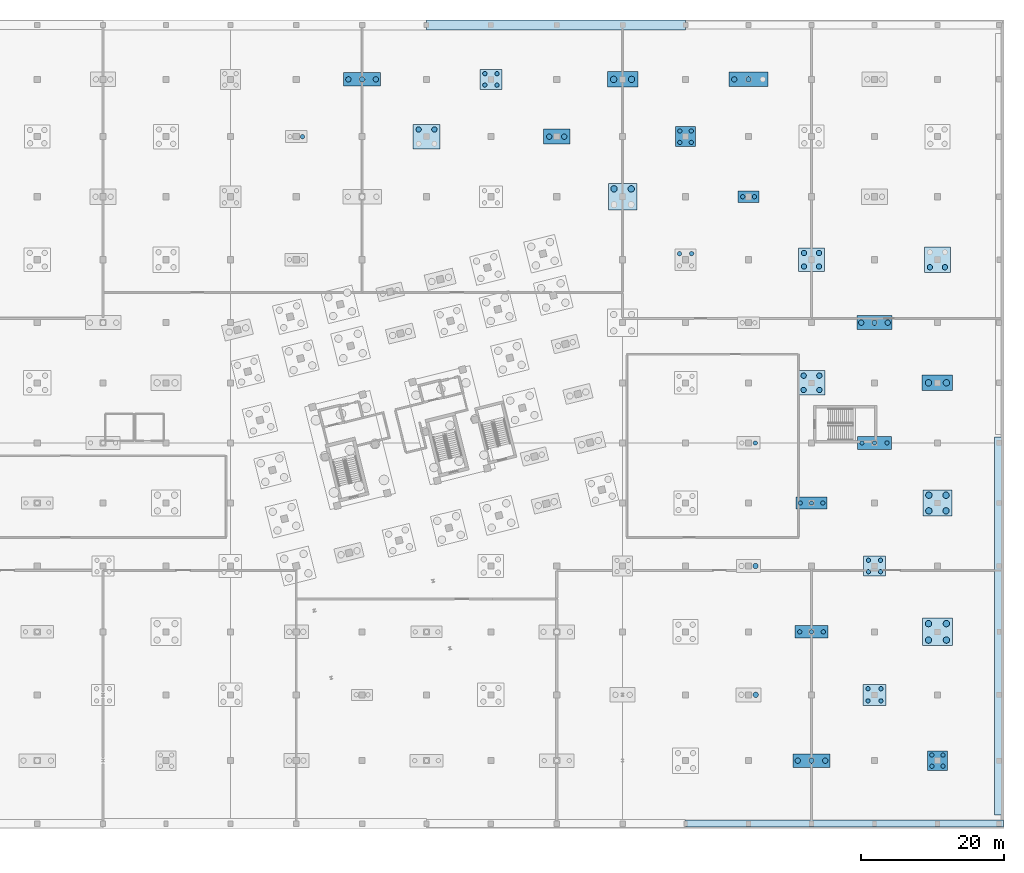
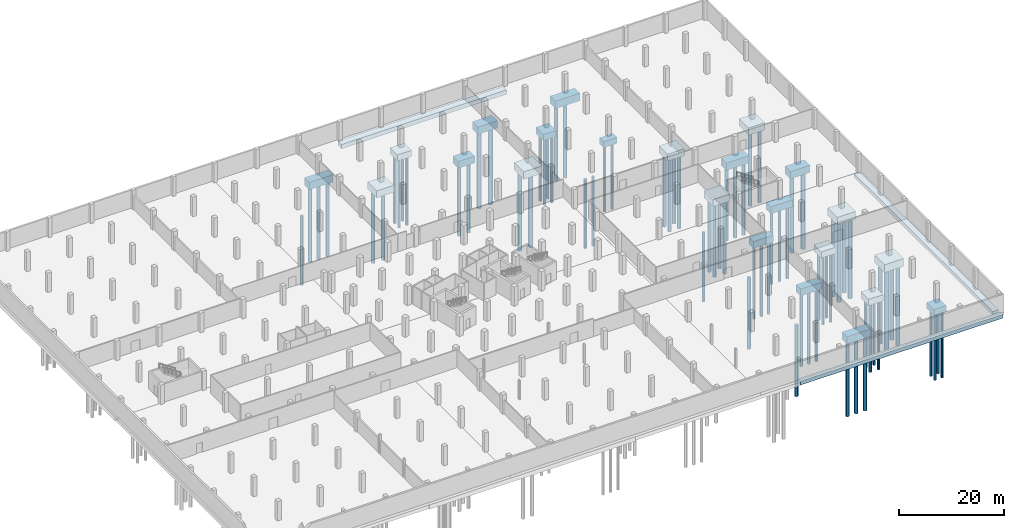
# One storey, part 5 of 29: 76 piles, 26 footings.
"""IFC4 building model written with IfcOpenShell, lengths in metres."""

from ifc_helpers import new_model, si_unit, direction, frame, origin, origin_2d, place, context, subcontext, project, spatial, rectangle, circle, extrude, material, layer, layer_set, material_profile, profile_set, type_object, element, save


model = new_model("IFC4")

# Units and contexts
model_context = context("Model", 3, precision=1e-05, world=origin(), true_north=direction((0.0, 1.0)))
body_context = subcontext(model_context, "Body", "Model", "MODEL_VIEW")
ifc_project = project(units=[si_unit("LENGTHUNIT", "METRE"), si_unit("AREAUNIT", "SQUARE_METRE"), si_unit("VOLUMEUNIT", "CUBIC_METRE"), si_unit("PLANEANGLEUNIT", "RADIAN"), si_unit("MASSUNIT", "GRAM", prefix="KILO")], contexts=[model_context])

# Site, building, storey
site_placement = place(None, origin())
site = spatial("IfcSite", under=ifc_project, at=site_placement, CompositionType="ELEMENT")
building_placement = place(site_placement, origin())
building = spatial("IfcBuilding", under=site, at=building_placement, Name="Meriwether Solvik Hall", CompositionType="ELEMENT")
storey_placement = place(building_placement, frame((0.0, 0.0, -9.0)))
storey = spatial("IfcBuildingStorey", under=building, at=storey_placement, Name="B02", CompositionType="ELEMENT", Elevation=-9.0)

# Footings
ifc_material_1 = material(Name="Concrete C40/50", Category="concrete")
ifc_layer_1 = layer(ifc_material_1, 1.39990234375)
ifc_layer_set_1 = layer_set([ifc_layer_1], Name="Concrete C40/50")
footing_type_1 = type_object("IfcFootingType", Name="FTG-PC-2750X2750X1400", PredefinedType="PILE_CAP", material=ifc_layer_set_1)
footing_1_placement = place(storey_placement, frame((158.199951171875, 14.0, -2.0), z_axis=(0.0, 0.0, 1.0), x_axis=(1.0, 0.0, 0.0)))
element("IfcFooting", 1, at=footing_1_placement, inside=storey, type_object=footing_type_1, Name="Pile Cap pod_18_B", PredefinedType="PILE_CAP", context=body_context, shape_type="SweptSolid", body=[
    extrude(rectangle(XDim=2.75, YDim=2.75, at=origin_2d()), origin(), (0.0, 0.0, 1.0), 1.39990234375),
])
ifc_material_2 = material(Name="Concrete C40/50", Category="concrete")
ifc_layer_2 = layer(ifc_material_2, 1.449951171875)
ifc_layer_set_2 = layer_set([ifc_layer_2], Name="Concrete C40/50")
footing_type_2 = type_object("IfcFootingType", Name="FTG-PC-2800X2800X1450", PredefinedType="PILE_CAP", material=ifc_layer_set_2)
footing_2_placement = place(storey_placement, frame((123.0, 101.199951171875, -2.0498046875), z_axis=(0.0, 0.0, 1.0), x_axis=(1.0, 0.0, 0.0)))
element("IfcFooting", 2, at=footing_2_placement, inside=storey, type_object=footing_type_2, Name="Pile Cap pod_14_L", PredefinedType="PILE_CAP", context=body_context, shape_type="SweptSolid", body=[
    extrude(rectangle(XDim=2.800048828125, YDim=2.800048828125, at=origin_2d()), origin(), (0.0, 0.0, 1.0), 1.449951171875),
])
ifc_material_3 = material(Name="Concrete C40/50", Category="concrete")
ifc_layer_3 = layer(ifc_material_3, 1.39990234375)
ifc_layer_set_3 = layer_set([ifc_layer_3], Name="Concrete C40/50")
footing_type_3 = type_object("IfcFootingType", Name="FTG-PC-2900X1550X1400", PredefinedType="PILE_CAP", material=ifc_layer_set_3)
footing_3_placement = place(storey_placement, frame((131.800048828125, 92.800048828125, -2.0), z_axis=(0.0, 0.0, 1.0), x_axis=(1.0, 0.0, 0.0)))
element("IfcFooting", 3, at=footing_3_placement, inside=storey, type_object=footing_type_3, Name="Pile Cap pod_15_K", PredefinedType="PILE_CAP", context=body_context, shape_type="SweptSolid", body=[
    extrude(rectangle(XDim=2.89990234375, YDim=1.550048828125, at=origin_2d()), origin(), (0.0, 0.0, 1.0), 1.39990234375),
])
ifc_material_4 = material(Name="Concrete C40/50", Category="concrete")
ifc_layer_4 = layer(ifc_material_4, 1.449951171875)
ifc_layer_set_4 = layer_set([ifc_layer_4], Name="Concrete C40/50")
footing_type_4 = type_object("IfcFootingType", Name="FTG-PC-3100X2800X1450", PredefinedType="PILE_CAP", material=ifc_layer_set_4)
for number, where, z_axis, x_axis, name in (
    (4, (95.800048828125, 109.199951171875, -2.0498046875), (0.0, 0.0, 1.0), (1.0, 0.0, 0.0), "Pile Cap pod_11_M"),
    (5, (149.39990234375, 41.199951171875, -2.0498046875), (0.0, 0.0, 1.0), (1.0, 0.0, 0.0), "Pile Cap pod_17_E"),
):
    element("IfcFooting", number, at=place(storey_placement, frame(where, z_axis=z_axis, x_axis=x_axis)), inside=storey, type_object=footing_type_4, Name=name, PredefinedType="PILE_CAP", context=body_context, shape_type="SweptSolid", body=[
        extrude(rectangle(XDim=3.10009765625, YDim=2.800048828125, at=origin_2d()), origin(), (0.0, 0.0, 1.0), 1.449951171875),
    ])
ifc_material_5 = material(Name="Concrete C40/50", Category="concrete")
ifc_layer_5 = layer(ifc_material_5, 1.5)
ifc_layer_set_5 = layer_set([ifc_layer_5], Name="Concrete C40/50")
footing_type_5 = type_object("IfcFootingType", Name="FTG-PC-3250X2950X1500", PredefinedType="PILE_CAP", material=ifc_layer_set_5)
footing_4_placement = place(storey_placement, frame((149.39990234375, 23.199951171875, -2.10009765625), z_axis=(0.0, 0.0, 1.0), x_axis=(1.0, 0.0, 0.0)))
element("IfcFooting", 6, at=footing_4_placement, inside=storey, type_object=footing_type_5, Name="Pile Cap pod_17_C", PredefinedType="PILE_CAP", context=body_context, shape_type="SweptSolid", body=[
    extrude(rectangle(XDim=3.25, YDim=2.949951171875, at=origin_2d()), origin(), (0.0, 0.0, 1.0), 1.5),
])
ifc_material_6 = material(Name="Concrete C40/50", Category="concrete")
ifc_layer_6 = layer(ifc_material_6, 1.699951171875)
ifc_layer_set_6 = layer_set([ifc_layer_6], Name="Concrete C40/50")
footing_type_6 = type_object("IfcFootingType", Name="FTG-PC-3600X3600X1700", PredefinedType="PILE_CAP", material=ifc_layer_set_6)
footing_5_placement = place(storey_placement, frame((158.199951171875, 84.0, -2.2998046875), z_axis=(0.0, 0.0, 1.0), x_axis=(1.0, 0.0, 0.0)))
element("IfcFooting", 7, at=footing_5_placement, inside=storey, type_object=footing_type_6, Name="Pile Cap pod_18_J", PredefinedType="PILE_CAP", context=body_context, shape_type="SweptSolid", body=[
    extrude(rectangle(XDim=3.60009765625, YDim=3.60009765625, at=origin_2d()), origin(), (0.0, 0.0, 1.0), 1.699951171875),
])
ifc_material_7 = material(Name="Concrete C40/50", Category="concrete")
ifc_layer_7 = layer(ifc_material_7, 1.60009765625)
ifc_layer_set_7 = layer_set([ifc_layer_7], Name="Concrete C40/50")
footing_type_7 = type_object("IfcFootingType", Name="FTG-PC-3650X2100X1600", PredefinedType="PILE_CAP", material=ifc_layer_set_7)
footing_6_placement = place(storey_placement, frame((105.0, 101.199951171875, -2.199951171875), z_axis=(0.0, 0.0, 1.0), x_axis=(1.0, 0.0, 0.0)))
element("IfcFooting", 8, at=footing_6_placement, inside=storey, type_object=footing_type_7, Name="Pile Cap pod_12_L", PredefinedType="PILE_CAP", context=body_context, shape_type="SweptSolid", body=[
    extrude(rectangle(XDim=3.64990234375, YDim=2.10009765625, at=origin_2d()), origin(), (0.0, 0.0, 1.0), 1.60009765625),
])
ifc_material_8 = material(Name="Concrete C40/50", Category="concrete")
ifc_layer_8 = layer(ifc_material_8, 1.60009765625)
ifc_layer_set_8 = layer_set([ifc_layer_8], Name="Concrete C40/50")
footing_type_8 = type_object("IfcFootingType", Name="FTG-PC-3700X3300X1600", PredefinedType="PILE_CAP", material=ifc_layer_set_8)
footing_7_placement = place(storey_placement, frame((140.60009765625, 84.0, -2.199951171875), z_axis=(0.0, 0.0, 1.0), x_axis=(1.0, 0.0, 0.0)))
element("IfcFooting", 9, at=footing_7_placement, inside=storey, type_object=footing_type_8, Name="Pile Cap pod_16_J", PredefinedType="PILE_CAP", context=body_context, shape_type="SweptSolid", body=[
    extrude(rectangle(XDim=3.699951171875, YDim=3.300048828125, at=origin_2d()), origin(), (0.0, 0.0, 1.0), 1.60009765625),
])
ifc_material_9 = material(Name="Concrete C40/50", Category="concrete")
ifc_layer_9 = layer(ifc_material_9, 1.64990234375)
ifc_layer_set_9 = layer_set([ifc_layer_9], Name="Concrete C40/50")
footing_type_9 = type_object("IfcFootingType", Name="FTG-PC-3800X3450X1650", PredefinedType="PILE_CAP", material=ifc_layer_set_9)
for number, where, z_axis, x_axis, name in (
    (10, (86.800048828125, 101.199951171875, -2.25), (0.0, 0.0, 1.0), (1.0, 0.0, 0.0), "Pile Cap pod_10_L"),
    (11, (140.60009765625, 66.800048828125, -2.25), (0.0, 0.0, 1.0), (1.0, 0.0, 0.0), "Pile Cap pod_16_H"),
):
    element("IfcFooting", number, at=place(storey_placement, frame(where, z_axis=z_axis, x_axis=x_axis)), inside=storey, type_object=footing_type_9, Name=name, PredefinedType="PILE_CAP", context=body_context, shape_type="SweptSolid", body=[
        extrude(rectangle(XDim=3.800048828125, YDim=3.449951171875, at=origin_2d()), origin(), (0.0, 0.0, 1.0), 1.64990234375),
    ])
ifc_material_10 = material(Name="Concrete C40/50", Category="concrete")
ifc_layer_10 = layer(ifc_material_10, 1.75)
ifc_layer_set_10 = layer_set([ifc_layer_10], Name="Concrete C40/50")
footing_type_10 = type_object("IfcFootingType", Name="FTG-PC-4000X3650X1750", PredefinedType="PILE_CAP", material=ifc_layer_set_10)
for number, where, z_axis, x_axis, name in (
    (12, (114.199951171875, 92.800048828125, -2.35009765625), (0.0, 0.0, 1.0), (1.0, 0.0, 0.0), "Pile Cap pod_13_K"),
    (13, (158.199951171875, 50.0, -2.35009765625), (0.0, 0.0, 1.0), (1.0, 0.0, 0.0), "Pile Cap pod_18_F"),
):
    element("IfcFooting", number, at=place(storey_placement, frame(where, z_axis=z_axis, x_axis=x_axis)), inside=storey, type_object=footing_type_10, Name=name, PredefinedType="PILE_CAP", context=body_context, shape_type="SweptSolid", body=[
        extrude(rectangle(XDim=4.0, YDim=3.64990234375, at=origin_2d()), origin(), (0.0, 0.0, 1.0), 1.75),
    ])
ifc_material_11 = material(Name="Concrete C40/50", Category="concrete")
ifc_layer_11 = layer(ifc_material_11, 1.800048828125)
ifc_layer_set_11 = layer_set([ifc_layer_11], Name="Concrete C40/50")
footing_type_11 = type_object("IfcFootingType", Name="FTG-PC-4200X3800X1800", PredefinedType="PILE_CAP", material=ifc_layer_set_11)
footing_8_placement = place(storey_placement, frame((158.199951171875, 32.0, -2.39990234375), z_axis=(0.0, 0.0, 1.0), x_axis=(1.0, 0.0, 0.0)))
element("IfcFooting", 14, at=footing_8_placement, inside=storey, type_object=footing_type_11, Name="Pile Cap pod_18_D", PredefinedType="PILE_CAP", context=body_context, shape_type="SweptSolid", body=[
    extrude(rectangle(XDim=4.199951171875, YDim=3.800048828125, at=origin_2d()), origin(), (0.0, 0.0, 1.0), 1.800048828125),
])
ifc_material_12 = material(Name="Concrete C40/50", Category="concrete")
ifc_layer_12 = layer(ifc_material_12, 1.699951171875)
ifc_layer_set_12 = layer_set([ifc_layer_12], Name="Concrete C40/50")
footing_type_12 = type_object("IfcFootingType", Name="FTG-PC-4250X2150X1700", PredefinedType="PILE_CAP", material=ifc_layer_set_12)
for number, where, z_axis, x_axis, name in (
    (15, (114.199951171875, 109.199951171875, -2.2998046875), (0.0, 0.0, 1.0), (1.0, 0.0, 0.0), "Pile Cap pod_13_M"),
    (16, (158.199951171875, 66.800048828125, -2.2998046875), (0.0, 0.0, 1.0), (1.0, 0.0, 0.0), "Pile Cap pod_18_H"),
):
    element("IfcFooting", number, at=place(storey_placement, frame(where, z_axis=z_axis, x_axis=x_axis)), inside=storey, type_object=footing_type_12, Name=name, PredefinedType="PILE_CAP", context=body_context, shape_type="SweptSolid", body=[
        extrude(rectangle(XDim=4.25, YDim=2.14990234375, at=origin_2d()), origin(), (0.0, 0.0, 1.0), 1.699951171875),
    ])
ifc_material_13 = material(Name="Concrete C40/50", Category="concrete")
ifc_layer_13 = layer(ifc_material_13, 1.60009765625)
ifc_layer_set_13 = layer_set([ifc_layer_13], Name="Concrete C40/50")
footing_type_13 = type_object("IfcFootingType", Name="FTG-PC-4350X1650X1600", PredefinedType="PILE_CAP", material=ifc_layer_set_13)
footing_9_placement = place(storey_placement, frame((140.60009765625, 50.0, -2.199951171875), z_axis=(0.0, 0.0, 1.0), x_axis=(1.0, 0.0, 0.0)))
element("IfcFooting", 17, at=footing_9_placement, inside=storey, type_object=footing_type_13, Name="Pile Cap pod_16_F", PredefinedType="PILE_CAP", context=body_context, shape_type="SweptSolid", body=[
    extrude(rectangle(XDim=4.35009765625, YDim=1.64990234375, at=origin_2d()), origin(), (0.0, 0.0, 1.0), 1.60009765625),
])
ifc_material_14 = material(Name="Concrete C40/50", Category="concrete")
ifc_layer_14 = layer(ifc_material_14, 1.64990234375)
ifc_layer_set_14 = layer_set([ifc_layer_14], Name="Concrete C40/50")
footing_type_14 = type_object("IfcFootingType", Name="FTG-PC-4550X1750X1650", PredefinedType="PILE_CAP", material=ifc_layer_set_14)
footing_10_placement = place(storey_placement, frame((140.60009765625, 32.0, -2.25), z_axis=(0.0, 0.0, 1.0), x_axis=(1.0, 0.0, 0.0)))
element("IfcFooting", 18, at=footing_10_placement, inside=storey, type_object=footing_type_14, Name="Pile Cap pod_16_D", PredefinedType="PILE_CAP", context=body_context, shape_type="SweptSolid", body=[
    extrude(rectangle(XDim=4.550048828125, YDim=1.75, at=origin_2d()), origin(), (0.0, 0.0, 1.0), 1.64990234375),
])
ifc_material_15 = material(Name="Concrete C40/50", Category="concrete")
ifc_layer_15 = layer(ifc_material_15, 1.64990234375)
ifc_layer_set_15 = layer_set([ifc_layer_15], Name="Concrete C40/50")
footing_type_15 = type_object("IfcFootingType", Name="FTG-PC-4800X1850X1650", PredefinedType="PILE_CAP", material=ifc_layer_set_15)
footing_11_placement = place(storey_placement, frame((149.39990234375, 58.39990234375, -2.25), z_axis=(0.0, 0.0, 1.0), x_axis=(1.0, 0.0, 0.0)))
element("IfcFooting", 19, at=footing_11_placement, inside=storey, type_object=footing_type_15, Name="Pile Cap pod_17_G", PredefinedType="PILE_CAP", context=body_context, shape_type="SweptSolid", body=[
    extrude(rectangle(XDim=4.800048828125, YDim=1.85009765625, at=origin_2d()), origin(), (0.0, 0.0, 1.0), 1.64990234375),
])
ifc_material_16 = material(Name="Concrete C40/50", Category="concrete")
ifc_layer_16 = layer(ifc_material_16, 1.699951171875)
ifc_layer_set_16 = layer_set([ifc_layer_16], Name="Concrete C40/50")
footing_type_16 = type_object("IfcFootingType", Name="FTG-PC-4950X1950X1700", PredefinedType="PILE_CAP", material=ifc_layer_set_16)
footing_12_placement = place(storey_placement, frame((149.39990234375, 75.199951171875, -2.2998046875), z_axis=(0.0, 0.0, 1.0), x_axis=(1.0, 0.0, 0.0)))
element("IfcFooting", 20, at=footing_12_placement, inside=storey, type_object=footing_type_16, Name="Pile Cap pod_17_I", PredefinedType="PILE_CAP", context=body_context, shape_type="SweptSolid", body=[
    extrude(rectangle(XDim=4.949951171875, YDim=1.949951171875, at=origin_2d()), origin(), (0.0, 0.0, 1.0), 1.699951171875),
])
ifc_material_17 = material(Name="Concrete C40/50", Category="concrete")
ifc_layer_17 = layer(ifc_material_17, 1.699951171875)
ifc_layer_set_17 = layer_set([ifc_layer_17], Name="Concrete C40/50")
footing_type_17 = type_object("IfcFootingType", Name="FTG-PC-5150X1900X1700", PredefinedType="PILE_CAP", material=ifc_layer_set_17)
for number, where, z_axis, x_axis, name in (
    (21, (77.800048828125, 109.199951171875, -2.2998046875), (0.0, 0.0, 1.0), (1.0, 0.0, 0.0), "Pile Cap pod_9_M"),
    (22, (140.60009765625, 14.0, -2.2998046875), (0.0, 0.0, 1.0), (1.0, 0.0, 0.0), "Pile Cap pod_16_B"),
):
    element("IfcFooting", number, at=place(storey_placement, frame(where, z_axis=z_axis, x_axis=x_axis)), inside=storey, type_object=footing_type_17, Name=name, PredefinedType="PILE_CAP", context=body_context, shape_type="SweptSolid", body=[
        extrude(rectangle(XDim=5.14990234375, YDim=1.89990234375, at=origin_2d()), origin(), (0.0, 0.0, 1.0), 1.699951171875),
    ])
ifc_material_18 = material(Name="Concrete C40/50", Category="concrete")
ifc_layer_18 = layer(ifc_material_18, 1.75)
ifc_layer_set_18 = layer_set([ifc_layer_18], Name="Concrete C40/50")
footing_type_18 = type_object("IfcFootingType", Name="FTG-PC-5400X2000X1750", PredefinedType="PILE_CAP", material=ifc_layer_set_18)
footing_13_placement = place(storey_placement, frame((131.800048828125, 109.199951171875, -2.35009765625), z_axis=(0.0, 0.0, 1.0), x_axis=(1.0, 0.0, 0.0)))
element("IfcFooting", 23, at=footing_13_placement, inside=storey, type_object=footing_type_18, Name="Pile Cap pod_15_M", PredefinedType="PILE_CAP", context=body_context, shape_type="SweptSolid", body=[
    extrude(rectangle(XDim=5.39990234375, YDim=2.0, at=origin_2d()), origin(), (0.0, 0.0, 1.0), 1.75),
])
ifc_material_19 = material(Name="Concrete C40/50", Category="concrete")
ifc_layer_19 = layer(ifc_material_19, 0.85009765625)
ifc_layer_set_19 = layer_set([ifc_layer_19], Name="Concrete C40/50")
footing_type_19 = type_object("IfcFootingType", Name="FTG-SF-1000X850", PredefinedType="STRIP_FOOTING", material=ifc_layer_set_19)
footing_14_placement = place(storey_placement, frame((145.199951171875, 5.199951171875, -1.449951171875), z_axis=(0.0, 0.0, 1.0), x_axis=(1.0, 0.0, 0.0)))
element("IfcFooting", 24, at=footing_14_placement, inside=storey, type_object=footing_type_19, Name="Perimeter Strip Footing SF_S4", PredefinedType="STRIP_FOOTING", context=body_context, shape_type="SweptSolid", body=[
    extrude(rectangle(XDim=44.39990234375, YDim=1.0, at=origin_2d()), origin(), (0.0, 0.0, 1.0), 0.85009765625),
])
ifc_material_20 = material(Name="Concrete C40/50", Category="concrete")
ifc_layer_20 = layer(ifc_material_20, 0.89990234375)
ifc_layer_set_20 = layer_set([ifc_layer_20], Name="Concrete C40/50")
footing_type_20 = type_object("IfcFootingType", Name="FTG-SF-1200X900", PredefinedType="STRIP_FOOTING", material=ifc_layer_set_20)
footing_15_placement = place(storey_placement, frame((166.800048828125, 32.800048828125, -1.5), z_axis=(0.0, 0.0, 1.0), x_axis=(0.0, 1.0, 0.0)))
element("IfcFooting", 25, at=footing_15_placement, inside=storey, type_object=footing_type_20, Name="Perimeter Strip Footing SF_E1", PredefinedType="STRIP_FOOTING", context=body_context, shape_type="SweptSolid", body=[
    extrude(rectangle(XDim=52.800048828125, YDim=1.199951171875, at=origin_2d()), origin(), (0.0, 0.0, 1.0), 0.89990234375),
])
ifc_material_21 = material(Name="Concrete C40/50", Category="concrete")
ifc_layer_21 = layer(ifc_material_21, 1.0)
ifc_layer_set_21 = layer_set([ifc_layer_21], Name="Concrete C40/50")
footing_type_21 = type_object("IfcFootingType", Name="FTG-SF-1400X1000", PredefinedType="STRIP_FOOTING", material=ifc_layer_set_21)
footing_16_placement = place(storey_placement, frame((104.89990234375, 116.800048828125, -1.60009765625), z_axis=(0.0, 0.0, 1.0), x_axis=(1.0, 0.0, 0.0)))
element("IfcFooting", 26, at=footing_16_placement, inside=storey, type_object=footing_type_21, Name="Perimeter Strip Footing SF_N3", PredefinedType="STRIP_FOOTING", context=body_context, shape_type="SweptSolid", body=[
    extrude(rectangle(XDim=36.199951171875, YDim=1.39990234375, at=origin_2d()), origin(), (0.0, 0.0, 1.0), 1.0),
])

# Piles
ifc_material_22 = material(Name="Concrete C40/50", Category="concrete")
ifc_material_profile_1 = material_profile(ifc_material_22, circle(Radius=0.300048828125, at=origin_2d()), Name="PILE-D600")
ifc_profile_set_1 = profile_set([ifc_material_profile_1], Name="Concrete C40/50")
pile_type_1 = type_object("IfcPileType", Name="PILE-BORED-600", PredefinedType="BORED", material=ifc_profile_set_1)
for number, where, z_axis, x_axis, name in (
    (27, (69.47998046875, 101.199951171875, -1.929931640625), (0.0, 0.0, -1.0), (1.0, 0.0, 0.0), "Bored Pile P-240"),
    (28, (94.949951171875, 108.39990234375, -1.929931640625), (0.0, 0.0, -1.0), (1.0, 0.0, 0.0), "Bored Pile P-271"),
    (29, (96.64990234375, 108.39990234375, -1.929931640625), (0.0, 0.0, -1.0), (1.0, 0.0, 0.0), "Bored Pile P-272"),
    (30, (94.949951171875, 110.0, -1.929931640625), (0.0, 0.0, -1.0), (1.0, 0.0, 0.0), "Bored Pile P-273"),
    (31, (96.64990234375, 110.0, -1.929931640625), (0.0, 0.0, -1.0), (1.0, 0.0, 0.0), "Bored Pile P-274"),
    (32, (122.14990234375, 84.85009765625, -1.97998046875), (0.0, 0.0, -1.0), (1.0, 0.0, 0.0), "Bored Pile P-317"),
    (33, (123.85009765625, 84.85009765625, -1.97998046875), (0.0, 0.0, -1.0), (1.0, 0.0, 0.0), "Bored Pile P-318"),
):
    element("IfcPile", number, at=place(storey_placement, frame(where, z_axis=z_axis, x_axis=x_axis)), inside=storey, type_object=pile_type_1, Name=name, PredefinedType="BORED", context=body_context, shape_type="SweptSolid", body=[
        extrude(circle(Radius=0.300048828125, at=origin_2d()), origin(), (0.0, 0.0, 1.0), 16.0),
    ])
for number, where, z_axis, x_axis, name in (
    (34, (122.199951171875, 100.39990234375, -1.929931640625), (0.0, 0.0, -1.0), (1.0, 0.0, 0.0), "Bored Pile P-319"),
    (35, (123.800048828125, 100.39990234375, -1.929931640625), (0.0, 0.0, -1.0), (1.0, 0.0, 0.0), "Bored Pile P-320"),
    (36, (122.199951171875, 102.0, -1.929931640625), (0.0, 0.0, -1.0), (1.0, 0.0, 0.0), "Bored Pile P-321"),
    (37, (123.800048828125, 102.0, -1.929931640625), (0.0, 0.0, -1.0), (1.0, 0.0, 0.0), "Bored Pile P-322"),
):
    element("IfcPile", number, at=place(storey_placement, frame(where, z_axis=z_axis, x_axis=x_axis)), inside=storey, type_object=pile_type_1, Name=name, PredefinedType="BORED", context=body_context, shape_type="SweptSolid", body=[
        extrude(circle(Radius=0.300048828125, at=origin_2d()), origin(), (0.0, 0.0, 1.0), 15.5),
    ])
pile_placement = place(storey_placement, frame((132.75, 58.39990234375, -1.97998046875), z_axis=(0.0, 0.0, -1.0), x_axis=(1.0, 0.0, 0.0)))
element("IfcPile", 38, at=pile_placement, inside=storey, type_object=pile_type_1, Name="Bored Pile P-328", PredefinedType="BORED", context=body_context, shape_type="SweptSolid", body=[
    extrude(circle(Radius=0.300048828125, at=origin_2d()), origin(), (0.0, 0.0, 1.0), 16.0),
])
for number, where, z_axis, x_axis, name in (
    (39, (130.97998046875, 92.800048828125, -1.8798828125), (0.0, 0.0, -1.0), (1.0, 0.0, 0.0), "Bored Pile P-331"),
    (40, (132.6201171875, 92.800048828125, -1.8798828125), (0.0, 0.0, -1.0), (1.0, 0.0, 0.0), "Bored Pile P-332"),
):
    element("IfcPile", number, at=place(storey_placement, frame(where, z_axis=z_axis, x_axis=x_axis)), inside=storey, type_object=pile_type_1, Name=name, PredefinedType="BORED", context=body_context, shape_type="SweptSolid", body=[
        extrude(circle(Radius=0.300048828125, at=origin_2d()), origin(), (0.0, 0.0, 1.0), 15.5),
    ])
for number, where, z_axis, x_axis, name in (
    (41, (138.949951171875, 32.0, -2.1298828125), (0.0, 0.0, -1.0), (1.0, 0.0, 0.0), "Bored Pile P-339"),
    (42, (140.60009765625, 32.0, -2.1298828125), (0.0, 0.0, -1.0), (1.0, 0.0, 0.0), "Bored Pile P-340"),
    (43, (142.25, 32.0, -2.1298828125), (0.0, 0.0, -1.0), (1.0, 0.0, 0.0), "Bored Pile P-341"),
    (44, (139.02001953125, 50.0, -2.080078125), (0.0, 0.0, -1.0), (1.0, 0.0, 0.0), "Bored Pile P-342"),
    (45, (140.60009765625, 50.0, -2.080078125), (0.0, 0.0, -1.0), (1.0, 0.0, 0.0), "Bored Pile P-343"),
    (46, (142.179931640625, 50.0, -2.080078125), (0.0, 0.0, -1.0), (1.0, 0.0, 0.0), "Bored Pile P-344"),
):
    element("IfcPile", number, at=place(storey_placement, frame(where, z_axis=z_axis, x_axis=x_axis)), inside=storey, type_object=pile_type_1, Name=name, PredefinedType="BORED", context=body_context, shape_type="SweptSolid", body=[
        extrude(circle(Radius=0.300048828125, at=origin_2d()), origin(), (0.0, 0.0, 1.0), 17.0),
    ])
for number, where, z_axis, x_axis, name in (
    (47, (148.5, 22.35009765625, -1.97998046875), (0.0, 0.0, -1.0), (1.0, 0.0, 0.0), "Bored Pile P-357"),
    (48, (150.300048828125, 22.35009765625, -1.97998046875), (0.0, 0.0, -1.0), (1.0, 0.0, 0.0), "Bored Pile P-358"),
    (49, (148.5, 24.050048828125, -1.97998046875), (0.0, 0.0, -1.0), (1.0, 0.0, 0.0), "Bored Pile P-359"),
    (50, (150.300048828125, 24.050048828125, -1.97998046875), (0.0, 0.0, -1.0), (1.0, 0.0, 0.0), "Bored Pile P-360"),
    (51, (148.550048828125, 40.39990234375, -1.929931640625), (0.0, 0.0, -1.0), (1.0, 0.0, 0.0), "Bored Pile P-361"),
    (52, (150.25, 40.39990234375, -1.929931640625), (0.0, 0.0, -1.0), (1.0, 0.0, 0.0), "Bored Pile P-362"),
    (53, (148.550048828125, 42.0, -1.929931640625), (0.0, 0.0, -1.0), (1.0, 0.0, 0.0), "Bored Pile P-363"),
    (54, (150.25, 42.0, -1.929931640625), (0.0, 0.0, -1.0), (1.0, 0.0, 0.0), "Bored Pile P-364"),
):
    element("IfcPile", number, at=place(storey_placement, frame(where, z_axis=z_axis, x_axis=x_axis)), inside=storey, type_object=pile_type_1, Name=name, PredefinedType="BORED", context=body_context, shape_type="SweptSolid", body=[
        extrude(circle(Radius=0.300048828125, at=origin_2d()), origin(), (0.0, 0.0, 1.0), 16.0),
    ])
for number, where, z_axis, x_axis, name in (
    (55, (147.64990234375, 58.39990234375, -2.1298828125), (0.0, 0.0, -1.0), (1.0, 0.0, 0.0), "Bored Pile P-365"),
    (56, (149.39990234375, 58.39990234375, -2.1298828125), (0.0, 0.0, -1.0), (1.0, 0.0, 0.0), "Bored Pile P-366"),
    (57, (151.14990234375, 58.39990234375, -2.1298828125), (0.0, 0.0, -1.0), (1.0, 0.0, 0.0), "Bored Pile P-367"),
):
    element("IfcPile", number, at=place(storey_placement, frame(where, z_axis=z_axis, x_axis=x_axis)), inside=storey, type_object=pile_type_1, Name=name, PredefinedType="BORED", context=body_context, shape_type="SweptSolid", body=[
        extrude(circle(Radius=0.300048828125, at=origin_2d()), origin(), (0.0, 0.0, 1.0), 17.0),
    ])
for number, where, z_axis, x_axis, name in (
    (58, (157.419921875, 13.219970703125, -1.8798828125), (0.0, 0.0, -1.0), (1.0, 0.0, 0.0), "Bored Pile P-375"),
    (59, (158.97998046875, 13.219970703125, -1.8798828125), (0.0, 0.0, -1.0), (1.0, 0.0, 0.0), "Bored Pile P-376"),
    (60, (157.419921875, 14.780029296875, -1.8798828125), (0.0, 0.0, -1.0), (1.0, 0.0, 0.0), "Bored Pile P-377"),
    (61, (158.97998046875, 14.780029296875, -1.8798828125), (0.0, 0.0, -1.0), (1.0, 0.0, 0.0), "Bored Pile P-378"),
):
    element("IfcPile", number, at=place(storey_placement, frame(where, z_axis=z_axis, x_axis=x_axis)), inside=storey, type_object=pile_type_1, Name=name, PredefinedType="BORED", context=body_context, shape_type="SweptSolid", body=[
        extrude(circle(Radius=0.300048828125, at=origin_2d()), origin(), (0.0, 0.0, 1.0), 15.5),
    ])
ifc_material_23 = material(Name="Concrete C40/50", Category="concrete")
ifc_material_profile_2 = material_profile(ifc_material_23, circle(Radius=0.375, at=origin_2d()), Name="PILE-D750")
ifc_profile_set_2 = profile_set([ifc_material_profile_2], Name="Concrete C40/50")
pile_type_2 = type_object("IfcPileType", Name="PILE-BORED-750", PredefinedType="BORED", material=ifc_profile_set_2)
for number, where, z_axis, x_axis, name in (
    (62, (75.8798828125, 109.199951171875, -2.179931640625), (0.0, 0.0, -1.0), (1.0, 0.0, 0.0), "Bored Pile P-246"),
    (63, (77.800048828125, 109.199951171875, -2.179931640625), (0.0, 0.0, -1.0), (1.0, 0.0, 0.0), "Bored Pile P-247"),
    (64, (79.719970703125, 109.199951171875, -2.179931640625), (0.0, 0.0, -1.0), (1.0, 0.0, 0.0), "Bored Pile P-248"),
):
    element("IfcPile", number, at=place(storey_placement, frame(where, z_axis=z_axis, x_axis=x_axis)), inside=storey, type_object=pile_type_2, Name=name, PredefinedType="BORED", context=body_context, shape_type="SweptSolid", body=[
        extrude(circle(Radius=0.375, at=origin_2d()), origin(), (0.0, 0.0, 1.0), 17.5),
    ])
for number, where, z_axis, x_axis, name in (
    (65, (85.699951171875, 102.199951171875, -2.1298828125), (0.0, 0.0, -1.0), (1.0, 0.0, 0.0), "Bored Pile P-257"),
    (66, (87.89990234375, 102.199951171875, -2.1298828125), (0.0, 0.0, -1.0), (1.0, 0.0, 0.0), "Bored Pile P-258"),
):
    element("IfcPile", number, at=place(storey_placement, frame(where, z_axis=z_axis, x_axis=x_axis)), inside=storey, type_object=pile_type_2, Name=name, PredefinedType="BORED", context=body_context, shape_type="SweptSolid", body=[
        extrude(circle(Radius=0.375, at=origin_2d()), origin(), (0.0, 0.0, 1.0), 17.0),
    ])
for number, where, z_axis, x_axis, name in (
    (67, (103.949951171875, 101.199951171875, -2.080078125), (0.0, 0.0, -1.0), (1.0, 0.0, 0.0), "Bored Pile P-281"),
    (68, (106.050048828125, 101.199951171875, -2.080078125), (0.0, 0.0, -1.0), (1.0, 0.0, 0.0), "Bored Pile P-282"),
    (69, (132.800048828125, 23.199951171875, -2.030029296875), (0.0, 0.0, -1.0), (1.0, 0.0, 0.0), "Bored Pile P-324"),
    (70, (132.780029296875, 41.199951171875, -1.97998046875), (0.0, 0.0, -1.0), (1.0, 0.0, 0.0), "Bored Pile P-326"),
):
    element("IfcPile", number, at=place(storey_placement, frame(where, z_axis=z_axis, x_axis=x_axis)), inside=storey, type_object=pile_type_2, Name=name, PredefinedType="BORED", context=body_context, shape_type="SweptSolid", body=[
        extrude(circle(Radius=0.375, at=origin_2d()), origin(), (0.0, 0.0, 1.0), 16.5),
    ])
for number, where, z_axis, x_axis, name in (
    (71, (129.800048828125, 109.199951171875, -2.22998046875), (0.0, 0.0, -1.0), (1.0, 0.0, 0.0), "Bored Pile P-333"),
    (72, (131.800048828125, 109.199951171875, -2.22998046875), (0.0, 0.0, -1.0), (1.0, 0.0, 0.0), "Bored Pile P-334"),
    (73, (138.679931640625, 14.0, -2.179931640625), (0.0, 0.0, -1.0), (1.0, 0.0, 0.0), "Bored Pile P-336"),
    (74, (140.60009765625, 14.0, -2.179931640625), (0.0, 0.0, -1.0), (1.0, 0.0, 0.0), "Bored Pile P-337"),
    (75, (142.52001953125, 14.0, -2.179931640625), (0.0, 0.0, -1.0), (1.0, 0.0, 0.0), "Bored Pile P-338"),
):
    element("IfcPile", number, at=place(storey_placement, frame(where, z_axis=z_axis, x_axis=x_axis)), inside=storey, type_object=pile_type_2, Name=name, PredefinedType="BORED", context=body_context, shape_type="SweptSolid", body=[
        extrude(circle(Radius=0.375, at=origin_2d()), origin(), (0.0, 0.0, 1.0), 17.5),
    ])
for number, where, z_axis, x_axis, name in (
    (76, (139.5, 65.800048828125, -2.1298828125), (0.0, 0.0, -1.0), (1.0, 0.0, 0.0), "Bored Pile P-345"),
    (77, (141.699951171875, 65.800048828125, -2.1298828125), (0.0, 0.0, -1.0), (1.0, 0.0, 0.0), "Bored Pile P-346"),
    (78, (139.5, 67.800048828125, -2.1298828125), (0.0, 0.0, -1.0), (1.0, 0.0, 0.0), "Bored Pile P-347"),
    (79, (141.699951171875, 67.800048828125, -2.1298828125), (0.0, 0.0, -1.0), (1.0, 0.0, 0.0), "Bored Pile P-348"),
    (80, (139.550048828125, 83.050048828125, -2.080078125), (0.0, 0.0, -1.0), (1.0, 0.0, 0.0), "Bored Pile P-349"),
    (81, (141.64990234375, 83.050048828125, -2.080078125), (0.0, 0.0, -1.0), (1.0, 0.0, 0.0), "Bored Pile P-350"),
    (82, (139.550048828125, 84.949951171875, -2.080078125), (0.0, 0.0, -1.0), (1.0, 0.0, 0.0), "Bored Pile P-351"),
    (83, (141.64990234375, 84.949951171875, -2.080078125), (0.0, 0.0, -1.0), (1.0, 0.0, 0.0), "Bored Pile P-352"),
    (84, (147.550048828125, 75.199951171875, -2.179931640625), (0.0, 0.0, -1.0), (1.0, 0.0, 0.0), "Bored Pile P-368"),
    (85, (149.39990234375, 75.199951171875, -2.179931640625), (0.0, 0.0, -1.0), (1.0, 0.0, 0.0), "Bored Pile P-369"),
    (86, (151.25, 75.199951171875, -2.179931640625), (0.0, 0.0, -1.0), (1.0, 0.0, 0.0), "Bored Pile P-370"),
    (87, (157.14990234375, 82.949951171875, -2.179931640625), (0.0, 0.0, -1.0), (1.0, 0.0, 0.0), "Bored Pile P-389"),
    (88, (159.25, 82.949951171875, -2.179931640625), (0.0, 0.0, -1.0), (1.0, 0.0, 0.0), "Bored Pile P-390"),
):
    element("IfcPile", number, at=place(storey_placement, frame(where, z_axis=z_axis, x_axis=x_axis)), inside=storey, type_object=pile_type_2, Name=name, PredefinedType="BORED", context=body_context, shape_type="SweptSolid", body=[
        extrude(circle(Radius=0.375, at=origin_2d()), origin(), (0.0, 0.0, 1.0), 17.0),
    ])
ifc_material_24 = material(Name="Concrete C40/50", Category="concrete")
ifc_material_profile_3 = material_profile(ifc_material_24, circle(Radius=0.449951171875, at=origin_2d()), Name="PILE-D900")
ifc_profile_set_3 = profile_set([ifc_material_profile_3], Name="Concrete C40/50")
pile_type_3 = type_object("IfcPileType", Name="PILE-BORED-900", PredefinedType="BORED", material=ifc_profile_set_3)
for number, where, z_axis, x_axis, name in (
    (89, (113.0, 93.89990234375, -2.22998046875), (0.0, 0.0, -1.0), (1.0, 0.0, 0.0), "Bored Pile P-295"),
    (90, (115.39990234375, 93.89990234375, -2.22998046875), (0.0, 0.0, -1.0), (1.0, 0.0, 0.0), "Bored Pile P-296"),
):
    element("IfcPile", number, at=place(storey_placement, frame(where, z_axis=z_axis, x_axis=x_axis)), inside=storey, type_object=pile_type_3, Name=name, PredefinedType="BORED", context=body_context, shape_type="SweptSolid", body=[
        extrude(circle(Radius=0.449951171875, at=origin_2d()), origin(), (0.0, 0.0, 1.0), 18.5),
    ])
for number, where, z_axis, x_axis, name in (
    (91, (112.949951171875, 109.199951171875, -2.179931640625), (0.0, 0.0, -1.0), (1.0, 0.0, 0.0), "Bored Pile P-297"),
    (92, (115.449951171875, 109.199951171875, -2.179931640625), (0.0, 0.0, -1.0), (1.0, 0.0, 0.0), "Bored Pile P-298"),
):
    element("IfcPile", number, at=place(storey_placement, frame(where, z_axis=z_axis, x_axis=x_axis)), inside=storey, type_object=pile_type_3, Name=name, PredefinedType="BORED", context=body_context, shape_type="SweptSolid", body=[
        extrude(circle(Radius=0.449951171875, at=origin_2d()), origin(), (0.0, 0.0, 1.0), 18.0),
    ])
for number, where, z_axis, x_axis, name in (
    (93, (156.949951171875, 30.85009765625, -2.280029296875), (0.0, 0.0, -1.0), (1.0, 0.0, 0.0), "Bored Pile P-379"),
    (94, (159.449951171875, 30.85009765625, -2.280029296875), (0.0, 0.0, -1.0), (1.0, 0.0, 0.0), "Bored Pile P-380"),
    (95, (156.949951171875, 33.14990234375, -2.280029296875), (0.0, 0.0, -1.0), (1.0, 0.0, 0.0), "Bored Pile P-381"),
    (96, (159.449951171875, 33.14990234375, -2.280029296875), (0.0, 0.0, -1.0), (1.0, 0.0, 0.0), "Bored Pile P-382"),
    (97, (157.0, 48.89990234375, -2.22998046875), (0.0, 0.0, -1.0), (1.0, 0.0, 0.0), "Bored Pile P-383"),
    (98, (159.39990234375, 48.89990234375, -2.22998046875), (0.0, 0.0, -1.0), (1.0, 0.0, 0.0), "Bored Pile P-384"),
    (99, (157.0, 51.10009765625, -2.22998046875), (0.0, 0.0, -1.0), (1.0, 0.0, 0.0), "Bored Pile P-385"),
    (100, (159.39990234375, 51.10009765625, -2.22998046875), (0.0, 0.0, -1.0), (1.0, 0.0, 0.0), "Bored Pile P-386"),
):
    element("IfcPile", number, at=place(storey_placement, frame(where, z_axis=z_axis, x_axis=x_axis)), inside=storey, type_object=pile_type_3, Name=name, PredefinedType="BORED", context=body_context, shape_type="SweptSolid", body=[
        extrude(circle(Radius=0.449951171875, at=origin_2d()), origin(), (0.0, 0.0, 1.0), 18.5),
    ])
for number, where, z_axis, x_axis, name in (
    (101, (156.949951171875, 66.800048828125, -2.179931640625), (0.0, 0.0, -1.0), (1.0, 0.0, 0.0), "Bored Pile P-387"),
    (102, (159.449951171875, 66.800048828125, -2.179931640625), (0.0, 0.0, -1.0), (1.0, 0.0, 0.0), "Bored Pile P-388"),
):
    element("IfcPile", number, at=place(storey_placement, frame(where, z_axis=z_axis, x_axis=x_axis)), inside=storey, type_object=pile_type_3, Name=name, PredefinedType="BORED", context=body_context, shape_type="SweptSolid", body=[
        extrude(circle(Radius=0.449951171875, at=origin_2d()), origin(), (0.0, 0.0, 1.0), 18.0),
    ])

save(model, "model.ifc")
